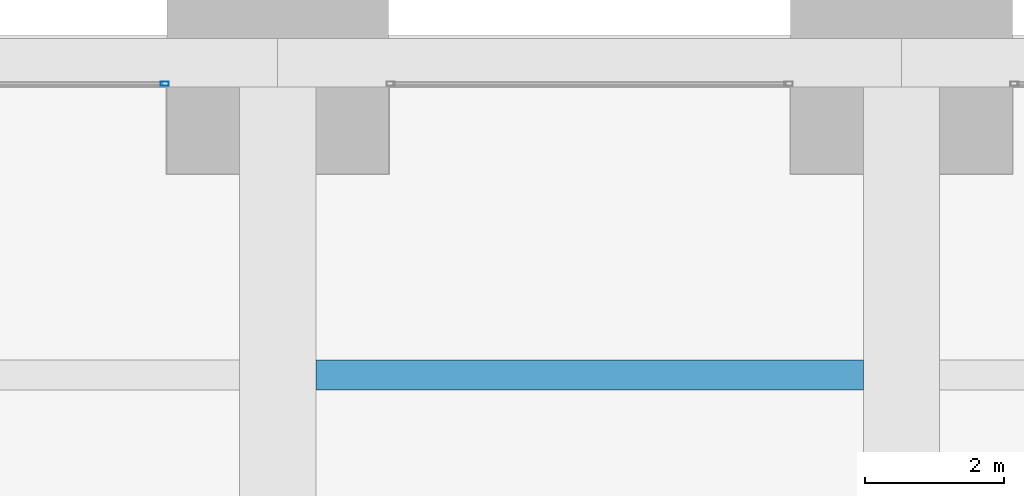
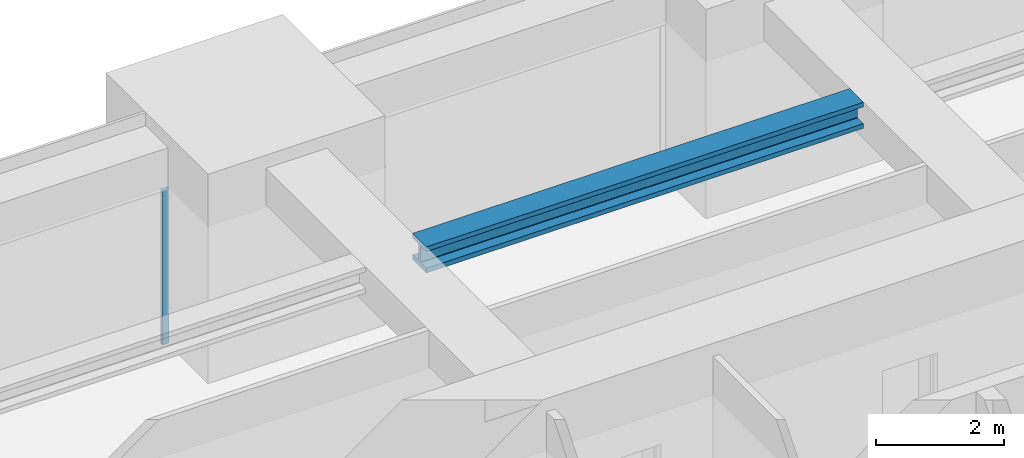
# One storey, part 27 of 40: 1 beam, 1 member, 1 element without a shape of its own.
"""IFC4 building model written with IfcOpenShell, lengths in metres."""

from ifc_helpers import new_model, si_unit, direction, frame, origin, origin_2d, place, context, subcontext, project, spatial, hollow_rectangle, i_section, extrude, material, material_profile, profile_set, type_object, element, aggregate, save


model = new_model("IFC4")

# Units and contexts
model_context = context("Model", 3, precision=1e-05, world=origin(), true_north=direction((0.0, 1.0)))
body_context = subcontext(model_context, "Body", "Model", "MODEL_VIEW")
ifc_project = project(units=[si_unit("LENGTHUNIT", "METRE"), si_unit("AREAUNIT", "SQUARE_METRE"), si_unit("VOLUMEUNIT", "CUBIC_METRE"), si_unit("PLANEANGLEUNIT", "RADIAN"), si_unit("MASSUNIT", "GRAM", prefix="KILO")], contexts=[model_context])

# Site, building, storey
site_placement = place(None, origin())
site = spatial("IfcSite", under=ifc_project, at=site_placement, CompositionType="ELEMENT")
building_placement = place(site_placement, origin())
building = spatial("IfcBuilding", under=site, at=building_placement, Name="Zorevar Civic Tower", CompositionType="ELEMENT")
storey_placement = place(building_placement, frame((0.0, 0.0, 239.39990234375)))
storey = spatial("IfcBuildingStorey", under=building, at=storey_placement, Name="L58", CompositionType="ELEMENT", Elevation=239.39990234375)

# Curtain wall, member
ifc_material_1 = material(Name="Dark grey solar-control glass in black aluminium frame", Category="aluminium")
curtain_wall_type = type_object("IfcCurtainWallType", Name="Curtain wall CW5 top zone", PredefinedType="NOTDEFINED", material=ifc_material_1)
curtain_wall_placement = place(storey_placement, origin())
curtain_wall = element("IfcCurtainWall", 1, at=curtain_wall_placement, inside=storey, type_object=curtain_wall_type, Name="CW5 L58", PredefinedType="NOTDEFINED")
ifc_material_2 = material(Name="Aluminium, black anodised", Category="aluminium")
ifc_material_profile_1 = material_profile(ifc_material_2, hollow_rectangle(XDim=0.06005859375, YDim=0.1201171875, WallThickness=0.0029296875, at=origin_2d()), Name="AL 120x60x3")
ifc_profile_set_1 = profile_set([ifc_material_profile_1], Name="Aluminium, black anodised")
member_type = type_object("IfcMemberType", Name="CW5 mullion AL 120x60x3", PredefinedType="MULLION", material=ifc_profile_set_1)
member_placement = place(storey_placement, frame((25.3701171875, 44.699951171875, 0.0), z_axis=(0.0, 0.0, 1.0), x_axis=(0.0, 1.0, 0.0)))
member = element("IfcMember", 2, at=member_placement, type_object=member_type, Name="CW5 mullion 2", PredefinedType="MULLION", context=body_context, shape_type="SweptSolid", body=[
    extrude(hollow_rectangle(XDim=0.06005859375, YDim=0.1201171875, WallThickness=0.0029296875, at=origin_2d()), origin(), (0.0, 0.0, 1.0), 2.9501953125),
])
aggregate(curtain_wall, [member])

# Beam
ifc_material_3 = material(Name="Steel S460M (HISTAR 460)", Category="steel")
ifc_material_profile_2 = material_profile(ifc_material_3, i_section(OverallWidth=0.431884765625, OverallDepth=0.498046875, WebThickness=0.0556640625, FlangeThickness=0.0888671875, FilletRadius=0.014892578125, at=origin_2d()), Name="HD 400x744")
ifc_profile_set_2 = profile_set([ifc_material_profile_2], Name="Steel S460M (HISTAR 460)")
beam_type = type_object("IfcBeamType", Name="Core bay beam HD 400x744", PredefinedType="BEAM", material=ifc_profile_set_2)
beam_placement = place(storey_placement, frame((27.550048828125, 40.5, 3.5009765625), z_axis=(1.0, 0.0, 0.0), x_axis=(0.0, 1.0, 0.0)))
element("IfcBeam", 3, at=beam_placement, inside=storey, type_object=beam_type, Name="Secondary beam L59", PredefinedType="BEAM", context=body_context, shape_type="SweptSolid", body=[
    extrude(i_section(OverallWidth=0.431884765625, OverallDepth=0.498046875, WebThickness=0.0556640625, FlangeThickness=0.0888671875, FilletRadius=0.014892578125, at=origin_2d()), origin(), (0.0, 0.0, 1.0), 7.89990234375),
])

save(model, "model.ifc")
